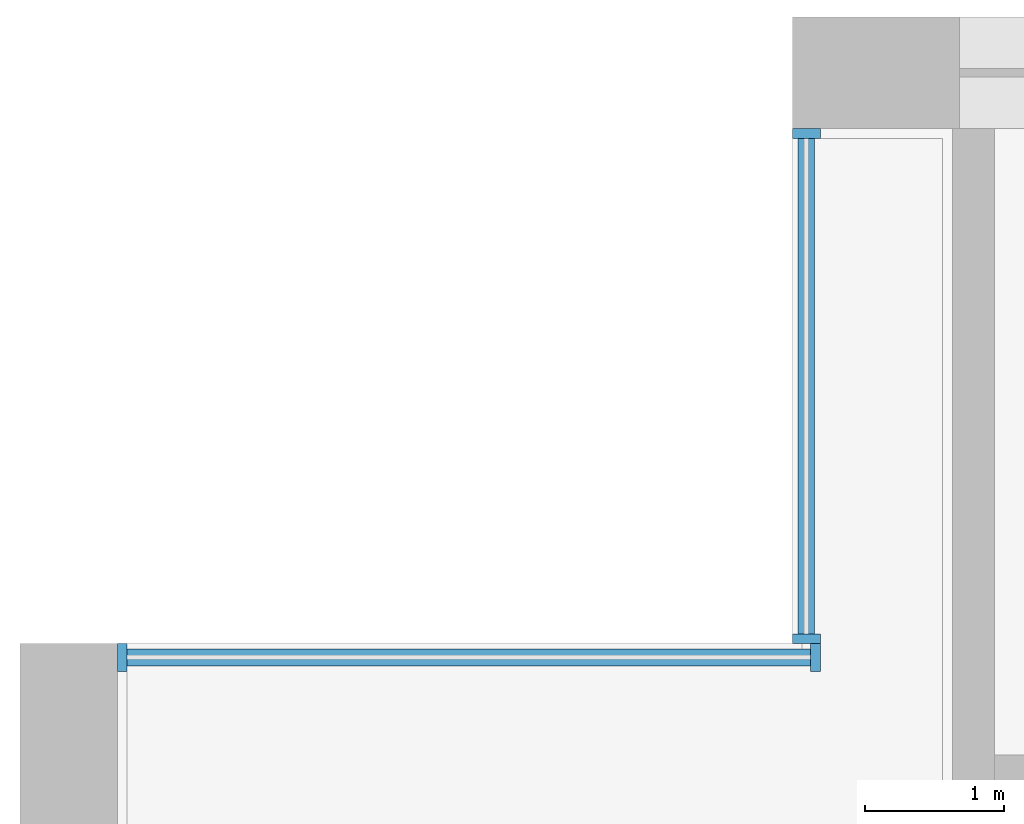
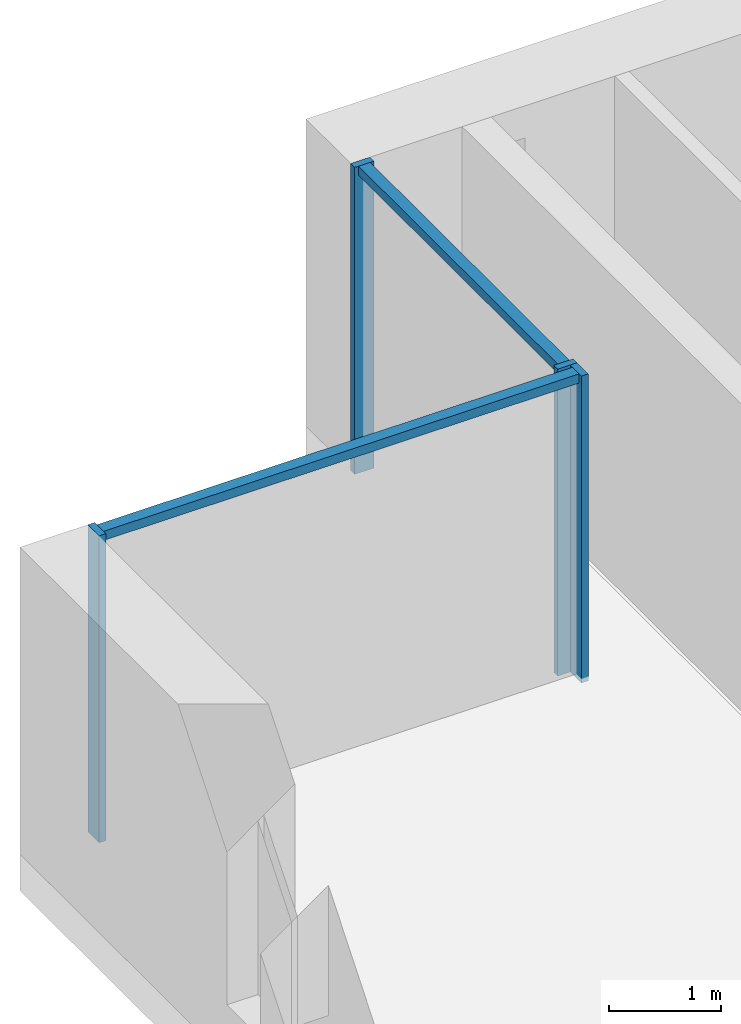
# One storey, part 4 of 15: 6 members, 2 elements without a shape of their own.
"""IFC4 building model written with IfcOpenShell, lengths in metres."""

from ifc_helpers import new_model, si_unit, direction, frame, origin, origin_2d, place, context, subcontext, project, spatial, rectangle, extrude, material, material_profile, profile_set, type_object, element, aggregate, save


model = new_model("IFC4")

# Units and contexts
model_context = context("Model", 3, precision=1e-05, world=origin(), true_north=direction((0.0, 1.0)))
body_context = subcontext(model_context, "Body", "Model", "MODEL_VIEW")
ifc_project = project(units=[si_unit("LENGTHUNIT", "METRE"), si_unit("AREAUNIT", "SQUARE_METRE"), si_unit("VOLUMEUNIT", "CUBIC_METRE"), si_unit("PLANEANGLEUNIT", "RADIAN"), si_unit("MASSUNIT", "GRAM", prefix="KILO")], contexts=[model_context])

# Site, building, storey
site_placement = place(None, origin())
site = spatial("IfcSite", under=ifc_project, at=site_placement, CompositionType="ELEMENT")
building_placement = place(site_placement, origin())
building = spatial("IfcBuilding", under=site, at=building_placement, Name="Calvaro Tower", CompositionType="ELEMENT")
storey_placement = place(building_placement, frame((0.0, 0.0, 117.5)))
storey = spatial("IfcBuildingStorey", under=building, at=storey_placement, Name="L29", CompositionType="ELEMENT", Elevation=117.5)

# Curtain wall, members
ifc_material_1 = material(Name="Anodised aluminium", Category="aluminium")
curtain_wall_type = type_object("IfcCurtainWallType", Name="Office curtain wall, middle zone", PredefinedType="NOTDEFINED", material=ifc_material_1)
curtain_wall_1_placement = place(storey_placement, origin())
curtain_wall_1 = element("IfcCurtainWall", 1, at=curtain_wall_1_placement, inside=storey, type_object=curtain_wall_type, Name="CW2 corner curtain wall", PredefinedType="NOTDEFINED")
ifc_material_2 = material(Name="Anodised aluminium", Category="aluminium")
ifc_material_profile_1 = material_profile(ifc_material_2, rectangle(XDim=0.199951171875, YDim=0.070068359375, at=origin_2d()), Name="Mullion S2 70 x 200")
ifc_profile_set_1 = profile_set([ifc_material_profile_1], Name="Anodised aluminium")
member_type_1 = type_object("IfcMemberType", Name="Mullion S2 70 x 200", PredefinedType="MULLION", material=ifc_profile_set_1)
member_1_placement = place(storey_placement, frame((5.64990234375, 41.534912109375, 0.0), z_axis=(0.0, 0.0, 1.0), x_axis=(-1.0, 0.0, 0.0)))
member_1 = element("IfcMember", 2, at=member_1_placement, type_object=member_type_1, Name="CW2 mullion 1", PredefinedType="MULLION", context=body_context, shape_type="SweptSolid", body=[
    extrude(rectangle(XDim=0.199951171875, YDim=0.070068359375, at=origin_2d()), origin(), (0.0, 0.0, 1.0), 3.35009765625),
])
member_2_placement = place(storey_placement, frame((5.64990234375, 45.1650390625, 0.0), z_axis=(0.0, 0.0, 1.0), x_axis=(-1.0, 0.0, 0.0)))
member_2 = element("IfcMember", 3, at=member_2_placement, type_object=member_type_1, Name="CW2 mullion 2", PredefinedType="MULLION", context=body_context, shape_type="SweptSolid", body=[
    extrude(rectangle(XDim=0.199951171875, YDim=0.070068359375, at=origin_2d()), origin(), (0.0, 0.0, 1.0), 3.35009765625),
])

curtain_wall_2_placement = place(storey_placement, origin())
curtain_wall_2 = element("IfcCurtainWall", 4, at=curtain_wall_2_placement, inside=storey, type_object=curtain_wall_type, Name="CW2 corner curtain wall", PredefinedType="NOTDEFINED")
member_3_placement = place(storey_placement, frame((0.735107421875, 41.39990234375, 0.0), z_axis=(0.0, 0.0, 1.0), x_axis=(0.0, 1.0, 0.0)))
member_3 = element("IfcMember", 5, at=member_3_placement, type_object=member_type_1, Name="CW2 mullion 1", PredefinedType="MULLION", context=body_context, shape_type="SweptSolid", body=[
    extrude(rectangle(XDim=0.199951171875, YDim=0.070068359375, at=origin_2d()), origin(), (0.0, 0.0, 1.0), 3.35009765625),
])
member_4_placement = place(storey_placement, frame((5.715087890625, 41.39990234375, 0.0), z_axis=(0.0, 0.0, 1.0), x_axis=(0.0, 1.0, 0.0)))
member_4 = element("IfcMember", 6, at=member_4_placement, type_object=member_type_1, Name="CW2 mullion 2", PredefinedType="MULLION", context=body_context, shape_type="SweptSolid", body=[
    extrude(rectangle(XDim=0.199951171875, YDim=0.070068359375, at=origin_2d()), origin(), (0.0, 0.0, 1.0), 3.35009765625),
])

# Member
ifc_material_3 = material(Name="Anodised aluminium", Category="aluminium")
ifc_material_profile_2 = material_profile(ifc_material_3, rectangle(XDim=0.1201171875, YDim=0.10009765625, at=origin_2d()), Name="Transom S2 100 x 120")
ifc_profile_set_2 = profile_set([ifc_material_profile_2], Name="Anodised aluminium")
member_type_2 = type_object("IfcMemberType", Name="Transom S2 100 x 120", PredefinedType="USERDEFINED", material=ifc_profile_set_2)
member_5_placement = place(storey_placement, frame((5.64990234375, 41.570068359375, 3.300048828125), z_axis=(0.0, 1.0, 0.0), x_axis=(-1.0, 0.0, 0.0)))
member_5 = element("IfcMember", 7, at=member_5_placement, type_object=member_type_2, Name="CW2 transom 1.1", ObjectType="TRANSOM", PredefinedType="USERDEFINED", context=body_context, shape_type="SweptSolid", body=[
    extrude(rectangle(XDim=0.1201171875, YDim=0.10009765625, at=origin_2d()), origin(), (0.0, 0.0, 1.0), 3.559814453125),
])

aggregate(curtain_wall_1, [member_1, member_2, member_5])

member_6_placement = place(storey_placement, frame((0.77001953125, 41.39990234375, 3.300048828125), z_axis=(1.0, 0.0, 0.0), x_axis=(0.0, 1.0, 0.0)))
member_6 = element("IfcMember", 8, at=member_6_placement, type_object=member_type_2, Name="CW2 transom 1.1", ObjectType="TRANSOM", PredefinedType="USERDEFINED", context=body_context, shape_type="SweptSolid", body=[
    extrude(rectangle(XDim=0.1201171875, YDim=0.10009765625, at=origin_2d()), origin(), (0.0, 0.0, 1.0), 4.909912109375),
])

aggregate(curtain_wall_2, [member_3, member_4, member_6])

save(model, "model.ifc")
